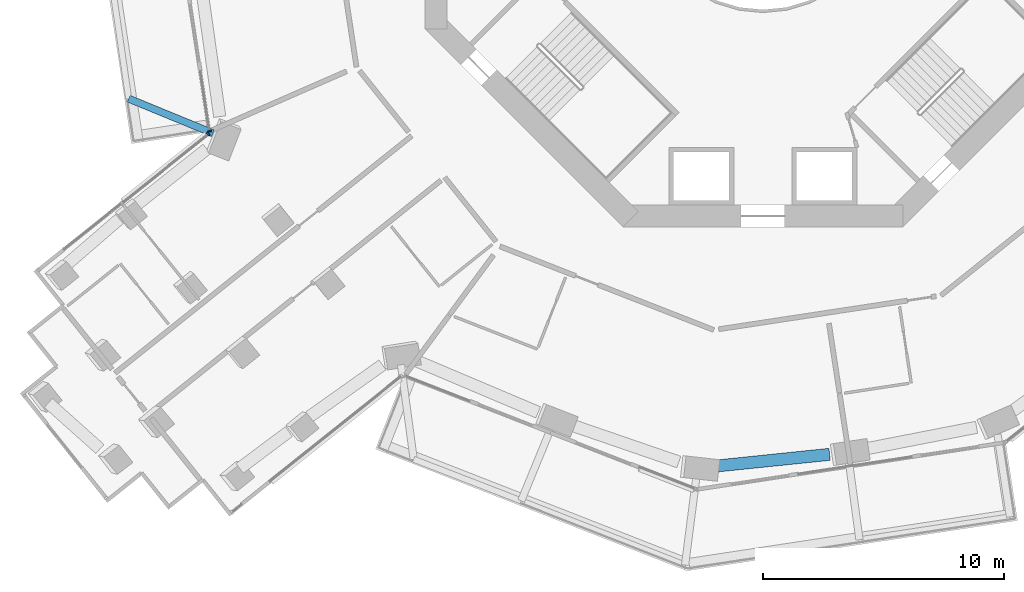
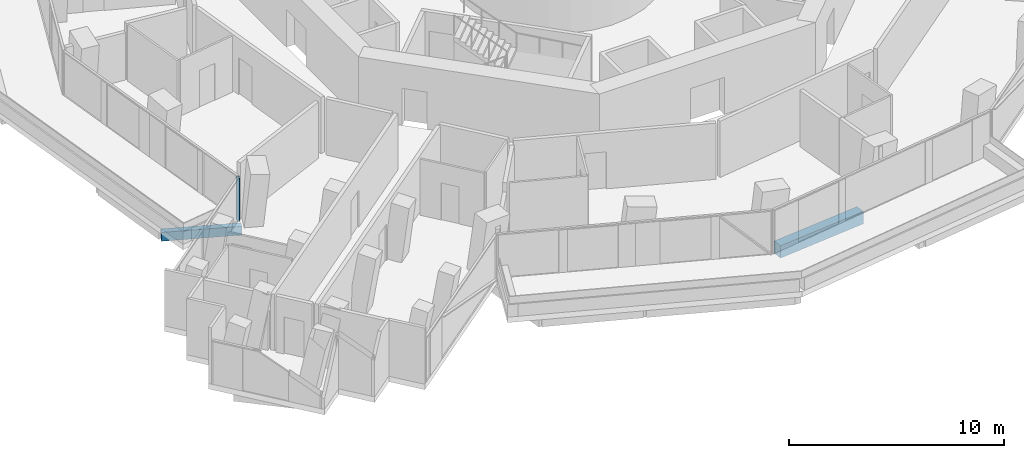
# One storey, part 3 of 28: 2 beams, 2 members, 2 elements without a shape of their own.
"""IFC4 building model written with IfcOpenShell, lengths in metres."""

from ifc_helpers import new_model, si_unit, direction, frame, origin, origin_2d, place, context, subcontext, project, spatial, rectangle, extrude, material, layer, layer_set, material_profile, profile_set, type_object, element, aggregate, save


model = new_model("IFC4")

# Units and contexts
model_context = context("Model", 3, precision=1e-05, world=origin(), true_north=direction((0.0, 1.0)))
body_context = subcontext(model_context, "Body", "Model", "MODEL_VIEW")
ifc_project = project(units=[si_unit("LENGTHUNIT", "METRE"), si_unit("AREAUNIT", "SQUARE_METRE"), si_unit("VOLUMEUNIT", "CUBIC_METRE"), si_unit("PLANEANGLEUNIT", "RADIAN"), si_unit("MASSUNIT", "GRAM", prefix="KILO")], contexts=[model_context])

# Site, building, storey
site_placement = place(None, origin())
site = spatial("IfcSite", under=ifc_project, at=site_placement, CompositionType="ELEMENT")
building_placement = place(site_placement, origin())
building = spatial("IfcBuilding", under=site, at=building_placement, Name="Verdalira Terraces Hotel", CompositionType="ELEMENT")
storey_placement = place(building_placement, frame((0.0, 0.0, 68.0)))
storey = spatial("IfcBuildingStorey", under=building, at=storey_placement, Name="L15", CompositionType="ELEMENT", Elevation=68.0)

# Beam
ifc_material_1 = material(Name="Concrete C40", Category="concrete")
ifc_material_profile_1 = material_profile(ifc_material_1, rectangle(XDim=0.300049, YDim=0.5, at=origin_2d()), Name="RC 300X500")
ifc_profile_set_1 = profile_set([ifc_material_profile_1], Name="Concrete C40")
beam_type_1 = type_object("IfcBeamType", Name="Balcony cantilever beam RC 300X500 C40", PredefinedType="BEAM", material=ifc_profile_set_1)
beam_1_placement = place(storey_placement, frame((-22.792725, -10.118652, -0.560059), z_axis=(-0.925079958, 0.379772394, 0.0), x_axis=(-0.379772394, -0.925079958, 0.0)))
element("IfcBeam", 1, at=beam_1_placement, inside=storey, type_object=beam_type_1, Name="Balcony cantilever beam R12-2", PredefinedType="BEAM", context=body_context, shape_type="SweptSolid", body=[
    extrude(rectangle(XDim=0.300049, YDim=0.5, at=origin_2d()), origin(), (0.0, 0.0, 1.0), 3.769775),
])

# Curtain wall, member
ifc_material_2 = material(Name="Clear glass", Category="glass")
ifc_layer_1 = layer(ifc_material_2, 0.14990234375)
ifc_layer_set_1 = layer_set([ifc_layer_1], Name="CW1 curtain wall")
curtain_wall_type_1 = type_object("IfcCurtainWallType", Name="CW1 curtain wall", PredefinedType="NOTDEFINED", material=ifc_layer_set_1)
curtain_wall_1_placement = place(storey_placement, origin())
curtain_wall_1 = element("IfcCurtainWall", 2, at=curtain_wall_1_placement, inside=storey, type_object=curtain_wall_type_1, Name="CW1 curtain wall L15 edge 13", PredefinedType="NOTDEFINED")
ifc_material_3 = material(Name="Terracotta frame", Category="masonry")
ifc_material_profile_2 = material_profile(ifc_material_3, rectangle(XDim=0.060059, YDim=0.149902, at=origin_2d()), Name="MU 60x150")
ifc_profile_set_2 = profile_set([ifc_material_profile_2], Name="Terracotta frame")
member_type_1 = type_object("IfcMemberType", Name="CW1 mullion 60x150", PredefinedType="MULLION", material=ifc_profile_set_2)
member_1_placement = place(storey_placement, frame((-22.937012, -10.029541, 0.0), z_axis=(0.0, 0.0, 1.0), x_axis=(0.150225589, -0.988651745, 0.0)))
member_1 = element("IfcMember", 3, at=member_1_placement, type_object=member_type_1, Name="CW1 mullion", PredefinedType="MULLION", context=body_context, shape_type="SweptSolid", body=[
    extrude(rectangle(XDim=0.060059, YDim=0.149902, at=origin_2d()), origin(), (0.0, 0.0, 1.0), 2.425049),
])
aggregate(curtain_wall_1, [member_1])

ifc_material_4 = material(Name="Clear glass", Category="glass")
ifc_layer_2 = layer(ifc_material_4, 0.14990234375)
ifc_layer_set_2 = layer_set([ifc_layer_2], Name="CW2 curtain wall")
curtain_wall_type_2 = type_object("IfcCurtainWallType", Name="CW2 curtain wall", PredefinedType="NOTDEFINED", material=ifc_layer_set_2)
curtain_wall_2_placement = place(storey_placement, origin())
curtain_wall_2 = element("IfcCurtainWall", 4, at=curtain_wall_2_placement, inside=storey, type_object=curtain_wall_type_2, Name="CW2 curtain wall L15 edge 14", PredefinedType="NOTDEFINED")
ifc_material_5 = material(Name="Terracotta frame", Category="masonry")
ifc_material_profile_3 = material_profile(ifc_material_5, rectangle(XDim=0.070068, YDim=0.149902, at=origin_2d()), Name="MU 70x150")
ifc_profile_set_3 = profile_set([ifc_material_profile_3], Name="Terracotta frame")
member_type_2 = type_object("IfcMemberType", Name="CW2 mullion 70x150", PredefinedType="MULLION", material=ifc_profile_set_3)
member_2_placement = place(storey_placement, frame((-22.987061, -10.150879, 0.0), z_axis=(0.0, 0.0, 1.0), x_axis=(-0.781084732, -0.624425049, 0.0)))
member_2 = element("IfcMember", 5, at=member_2_placement, type_object=member_type_2, Name="CW2 mullion", PredefinedType="MULLION", context=body_context, shape_type="SweptSolid", body=[
    extrude(rectangle(XDim=0.070068, YDim=0.149902, at=origin_2d()), origin(), (0.0, 0.0, 1.0), 2.425049),
])
aggregate(curtain_wall_2, [member_2])

# Beam
ifc_material_6 = material(Name="Concrete C70", Category="concrete")
ifc_material_profile_4 = material_profile(ifc_material_6, rectangle(XDim=0.5, YDim=0.699951, at=origin_2d()), Name="RC 500X700")
ifc_profile_set_4 = profile_set([ifc_material_profile_4], Name="Concrete C70")
beam_type_2 = type_object("IfcBeamType", Name="Spandrel beam RC 500X700 C70", PredefinedType="SPANDREL", material=ifc_profile_set_4)
beam_2_placement = place(storey_placement, frame((-1.970947, -23.913086, -0.659912), z_axis=(0.994711512, 0.102708363, 0.0), x_axis=(-0.102708363, 0.994711512, 0.0)))
element("IfcBeam", 6, at=beam_2_placement, inside=storey, type_object=beam_type_2, Name="Spandrel beam B21", PredefinedType="SPANDREL", context=body_context, shape_type="SweptSolid", body=[
    extrude(rectangle(XDim=0.5, YDim=0.699951, at=origin_2d()), origin(), (0.0, 0.0, 1.0), 4.758789),
])

save(model, "model.ifc")
